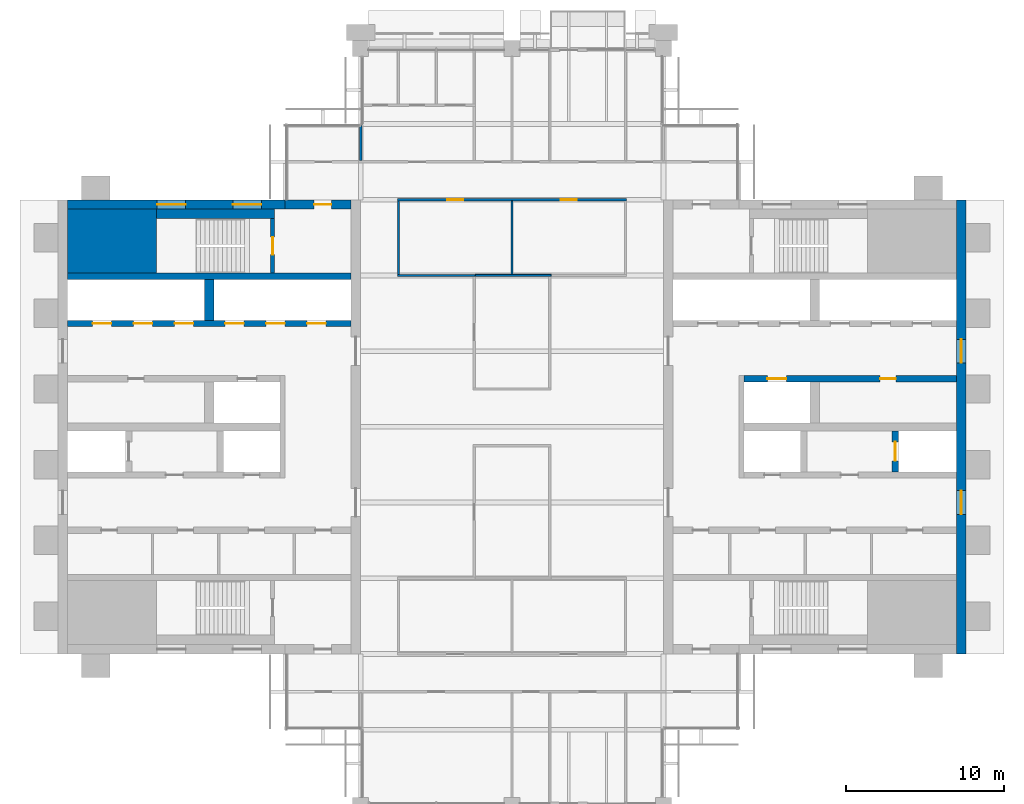
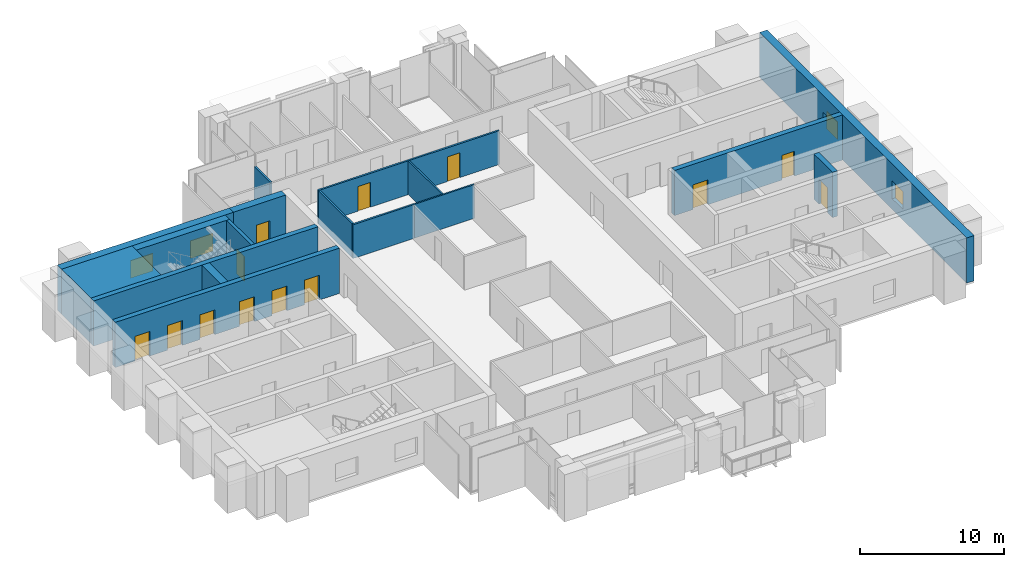
# One storey, part 10 of 13: 17 walls, 13 doors, 4 windows, 17 openings.
"""IFC4 building model written with IfcOpenShell, lengths in metres."""

from ifc_helpers import new_model, si_unit, direction, frame, frame_2d, origin, place, context, subcontext, project, spatial, rectangle, extrude, material, layer, layer_set, type_object, element, fill, save


model = new_model("IFC4")

# Units and contexts
model_context = context("Model", 3, precision=1e-05, world=origin(), true_north=direction((0.0, 1.0)))
body_context = subcontext(model_context, "Body", "Model", "MODEL_VIEW")
ifc_project = project(units=[si_unit("LENGTHUNIT", "METRE"), si_unit("AREAUNIT", "SQUARE_METRE"), si_unit("VOLUMEUNIT", "CUBIC_METRE"), si_unit("PLANEANGLEUNIT", "RADIAN"), si_unit("MASSUNIT", "GRAM", prefix="KILO")], contexts=[model_context])

# Site, building, storey
site_placement = place(None, origin())
site = spatial("IfcSite", under=ifc_project, at=site_placement, CompositionType="ELEMENT")
building_placement = place(site_placement, origin())
building = spatial("IfcBuilding", under=site, at=building_placement, Name="Baori Bourse Tower", CompositionType="ELEMENT")
storey_placement = place(building_placement, frame((0.0, 0.0, 302.300048828125)))
storey = spatial("IfcBuildingStorey", under=building, at=storey_placement, Name="L66", CompositionType="ELEMENT", Elevation=302.300048828125)

# Wall
ifc_material_1 = material(Name="Concrete f'c 40 MPa", Category="concrete")
wall_type_1 = type_object("IfcWallType", Name="Core corner block f'c 40", PredefinedType="SHEAR", material=ifc_material_1)
wall_1_placement = place(storey_placement, frame((0.60009765625, 35.77490234375, 0.0), z_axis=(0.0, 0.0, 1.0), x_axis=(1.0, 0.0, 0.0)))
element("IfcWall", 1, at=wall_1_placement, inside=storey, type_object=wall_type_1, Name="Core wall W23", PredefinedType="SHEAR", context=body_context, shape_type="SweptSolid", body=[
    extrude(rectangle(XDim=5.64990234375, YDim=4.050048828125, at=frame_2d((2.824951171875, 0.0))), origin(), (0.0, 0.0, 1.0), 3.83984375),
])

# Wall, openings, windows
ifc_material_2 = material(Name="Concrete f'c 40 MPa", Category="concrete")
ifc_layer_1 = layer(ifc_material_2, 0.60009765625)
ifc_layer_set_1 = layer_set([ifc_layer_1], Name="Core wall 600 f'c 40")
wall_type_2 = type_object("IfcWallType", Name="Core wall 600 f'c 40", PredefinedType="SHEAR", material=ifc_layer_set_1)
wall_2_placement = place(storey_placement, frame((0.60009765625, 38.10009765625, 0.0), z_axis=(0.0, 0.0, 1.0), x_axis=(1.0, 0.0, 0.0)))
wall_2 = element("IfcWall", 2, at=wall_2_placement, inside=storey, type_object=wall_type_2, Name="Core wall W26", PredefinedType="SHEAR", context=body_context, shape_type="SweptSolid", body=[
    extrude(rectangle(XDim=13.7998046875, YDim=0.60009765625, at=frame_2d((6.89990234375, 0.0))), origin(), (0.0, 0.0, 1.0), 3.83984375),
])
opening_1_placement = place(wall_2_placement, frame((5.699951171875, 0.0, 0.89990234375)))
opening_1 = element("IfcOpeningElement", 3, at=opening_1_placement, cuts=wall_2, Name="Opening L66-KW105", PredefinedType="OPENING", context=body_context, shape_type="SweptSolid", body=[
    extrude(rectangle(XDim=1.800048828125, YDim=1.5, at=frame_2d((0.89990234375, 0.75))), frame((0.0, 0.31005859375, 0.0), z_axis=(0.0, -1.0, 0.0), x_axis=(1.0, 0.0, 0.0)), (0.0, 0.0, 1.0), 0.6201171875),
])
opening_2_placement = place(wall_2_placement, frame((10.5, 0.0, 0.89990234375)))
opening_2 = element("IfcOpeningElement", 4, at=opening_2_placement, cuts=wall_2, Name="Opening L66-KW106", PredefinedType="OPENING", context=body_context, shape_type="SweptSolid", body=[
    extrude(rectangle(XDim=1.800048828125, YDim=1.5, at=frame_2d((0.89990234375, 0.75))), frame((0.0, 0.31005859375, 0.0), z_axis=(0.0, -1.0, 0.0), x_axis=(1.0, 0.0, 0.0)), (0.0, 0.0, 1.0), 0.6201171875),
])
ifc_material_3 = material(Name="Pale anodised aluminium", Category="aluminium")
window_type_1 = type_object("IfcWindowType", Name="Stair window 1800 x 1500", PartitioningType="SINGLE_PANEL", PredefinedType="WINDOW", material=ifc_material_3)
window_1_placement = place(opening_1_placement, origin())
window_1 = element("IfcWindow", 5, at=window_1_placement, inside=storey, type_object=window_type_1, Name="Stair window W L66 5", OverallHeight=1.5, OverallWidth=1.800048828125, PartitioningType="SINGLE_PANEL", PredefinedType="WINDOW", context=body_context, shape_type="SweptSolid", body=[
    extrude(rectangle(XDim=1.800048828125, YDim=1.5, at=frame_2d((0.89990234375, 0.75))), frame((0.0, 0.030029296875, 0.0), z_axis=(0.0, -1.0, 0.0), x_axis=(1.0, 0.0, 0.0)), (0.0, 0.0, 1.0), 0.06005859375),
])
fill(opening_1, window_1)
window_2_placement = place(opening_2_placement, origin())
window_2 = element("IfcWindow", 6, at=window_2_placement, inside=storey, type_object=window_type_1, Name="Stair window W L66 6", OverallHeight=1.5, OverallWidth=1.800048828125, PartitioningType="SINGLE_PANEL", PredefinedType="WINDOW", context=body_context, shape_type="SweptSolid", body=[
    extrude(rectangle(XDim=1.800048828125, YDim=1.5, at=frame_2d((0.89990234375, 0.75))), frame((0.0, 0.030029296875, 0.0), z_axis=(0.0, -1.0, 0.0), x_axis=(1.0, 0.0, 0.0)), (0.0, 0.0, 1.0), 0.06005859375),
])
fill(opening_2, window_2)

# Wall, opening, door
wall_3_placement = place(storey_placement, frame((14.39990234375, 38.10009765625, 0.0), z_axis=(0.0, 0.0, 1.0), x_axis=(1.0, 0.0, 0.0)))
wall_3 = element("IfcWall", 7, at=wall_3_placement, inside=storey, type_object=wall_type_2, Name="Core wall W27", PredefinedType="SHEAR", context=body_context, shape_type="SweptSolid", body=[
    extrude(rectangle(XDim=4.2001953125, YDim=0.60009765625, at=frame_2d((2.10009765625, 0.0))), origin(), (0.0, 0.0, 1.0), 3.83984375),
])
opening_3_placement = place(wall_3_placement, frame((1.85009765625, 0.0, 0.0)))
opening_3 = element("IfcOpeningElement", 8, at=opening_3_placement, cuts=wall_3, Name="Opening L66-D104", PredefinedType="OPENING", context=body_context, shape_type="SweptSolid", body=[
    extrude(rectangle(XDim=1.10009765625, YDim=2.10009765625, at=frame_2d((0.550048828125, 1.050048828125))), frame((0.0, 0.31005859375, 0.0), z_axis=(0.0, -1.0, 0.0), x_axis=(1.0, 0.0, 0.0)), (0.0, 0.0, 1.0), 0.6201171875),
])
ifc_material_4 = material(Name="Painted steel door", Category="steel")
door_type_1 = type_object("IfcDoorType", Name="Stair door 1100", OperationType="SINGLE_SWING_LEFT", PredefinedType="DOOR", material=ifc_material_4)
door_1_placement = place(opening_3_placement, origin())
door_1 = element("IfcDoor", 9, at=door_1_placement, inside=storey, type_object=door_type_1, Name="Stair vestibule door B W L66", OperationType="SINGLE_SWING_LEFT", OverallHeight=2.10009765625, OverallWidth=1.10009765625, PredefinedType="DOOR", context=body_context, shape_type="SweptSolid", body=[
    extrude(rectangle(XDim=1.10009765625, YDim=2.10009765625, at=frame_2d((0.550048828125, 1.050048828125))), frame((0.0, 0.02490234375, 0.0), z_axis=(0.0, -1.0, 0.0), x_axis=(1.0, 0.0, 0.0)), (0.0, 0.0, 1.0), 0.050048828125),
])
fill(opening_3, door_1)

# Wall, openings, windows
wall_4_placement = place(storey_placement, frame((57.300048828125, 38.39990234375, 0.0), z_axis=(0.0, 0.0, 1.0), x_axis=(0.0, -1.0, 0.0)))
wall_4 = element("IfcWall", 10, at=wall_4_placement, inside=storey, type_object=wall_type_2, Name="Core wall E01", PredefinedType="SHEAR", context=body_context, shape_type="SweptSolid", body=[
    extrude(rectangle(XDim=28.7998046875, YDim=0.60009765625, at=frame_2d((14.39990234375, 0.0))), origin(), (0.0, 0.0, 1.0), 3.83984375),
])
opening_4_placement = place(wall_4_placement, frame((18.449951171875, 0.0, 0.89990234375)))
opening_4 = element("IfcOpeningElement", 11, at=opening_4_placement, cuts=wall_4, Name="Opening L66-KW201", PredefinedType="OPENING", context=body_context, shape_type="SweptSolid", body=[
    extrude(rectangle(XDim=1.5, YDim=1.5, at=frame_2d((0.75, 0.75))), frame((0.0, 0.31005859375, 0.0), z_axis=(0.0, -1.0, 0.0), x_axis=(1.0, 0.0, 0.0)), (0.0, 0.0, 1.0), 0.6201171875),
])
opening_5_placement = place(wall_4_placement, frame((8.85009765625, 0.0, 0.89990234375)))
opening_5 = element("IfcOpeningElement", 12, at=opening_5_placement, cuts=wall_4, Name="Opening L66-KW202", PredefinedType="OPENING", context=body_context, shape_type="SweptSolid", body=[
    extrude(rectangle(XDim=1.5, YDim=1.5, at=frame_2d((0.75, 0.75))), frame((0.0, 0.31005859375, 0.0), z_axis=(0.0, -1.0, 0.0), x_axis=(1.0, 0.0, 0.0)), (0.0, 0.0, 1.0), 0.6201171875),
])
ifc_material_5 = material(Name="Pale anodised aluminium", Category="aluminium")
window_type_2 = type_object("IfcWindowType", Name="Lobby window 1500 x 1500", PartitioningType="SINGLE_PANEL", PredefinedType="WINDOW", material=ifc_material_5)
window_3_placement = place(opening_4_placement, origin())
window_3 = element("IfcWindow", 13, at=window_3_placement, inside=storey, type_object=window_type_2, Name="Outer wall window E L66 1", OverallHeight=1.5, OverallWidth=1.5, PartitioningType="SINGLE_PANEL", PredefinedType="WINDOW", context=body_context, shape_type="SweptSolid", body=[
    extrude(rectangle(XDim=1.5, YDim=1.5, at=frame_2d((0.75, 0.75))), frame((0.0, 0.030029296875, 0.0), z_axis=(0.0, -1.0, 0.0), x_axis=(1.0, 0.0, 0.0)), (0.0, 0.0, 1.0), 0.06005859375),
])
fill(opening_4, window_3)
window_4_placement = place(opening_5_placement, origin())
window_4 = element("IfcWindow", 14, at=window_4_placement, inside=storey, type_object=window_type_2, Name="Outer wall window E L66 2", OverallHeight=1.5, OverallWidth=1.5, PartitioningType="SINGLE_PANEL", PredefinedType="WINDOW", context=body_context, shape_type="SweptSolid", body=[
    extrude(rectangle(XDim=1.5, YDim=1.5, at=frame_2d((0.75, 0.75))), frame((0.0, 0.030029296875, 0.0), z_axis=(0.0, -1.0, 0.0), x_axis=(1.0, 0.0, 0.0)), (0.0, 0.0, 1.0), 0.06005859375),
])
fill(opening_5, window_4)

# Wall
ifc_material_6 = material(Name="Gypsum board partition")
ifc_layer_2 = layer(ifc_material_6, 0.14990234375)
ifc_layer_set_2 = layer_set([ifc_layer_2], Name="Corridor partition 150")
wall_type_3 = type_object("IfcWallType", Name="Corridor partition 150", PredefinedType="PARTITIONING", material=ifc_layer_set_2)
wall_5_placement = place(storey_placement, frame((21.52490234375, 33.60009765625, 0.0), z_axis=(0.0, 0.0, 1.0), x_axis=(1.0, 0.0, 0.0)))
element("IfcWall", 15, at=wall_5_placement, inside=storey, type_object=wall_type_3, Name="Partition", PredefinedType="PARTITIONING", context=body_context, shape_type="SweptSolid", body=[
    extrude(rectangle(XDim=4.9501953125, YDim=0.14990234375, at=frame_2d((2.47509765625, 0.0))), origin(), (0.0, 0.0, 1.0), 2.86962890625),
])

# Wall, openings, doors
wall_6_placement = place(storey_placement, frame((21.52490234375, 38.39990234375, 0.0), z_axis=(0.0, 0.0, 1.0), x_axis=(1.0, 0.0, 0.0)))
wall_6 = element("IfcWall", 16, at=wall_6_placement, inside=storey, type_object=wall_type_3, Name="Partition", PredefinedType="PARTITIONING", context=body_context, shape_type="SweptSolid", body=[
    extrude(rectangle(XDim=14.550048828125, YDim=0.14990234375, at=frame_2d((7.27490234375, 0.0))), origin(), (0.0, 0.0, 1.0), 2.86962890625),
])
opening_6_placement = place(wall_6_placement, frame((3.175048828125, 0.0, 0.0)))
opening_6 = element("IfcOpeningElement", 17, at=opening_6_placement, cuts=wall_6, Name="Opening L66-D08", PredefinedType="OPENING", context=body_context, shape_type="SweptSolid", body=[
    extrude(rectangle(XDim=1.0, YDim=2.10009765625, at=frame_2d((0.5, 1.050048828125))), frame((0.0, 0.0849609375, 0.0), z_axis=(0.0, -1.0, 0.0), x_axis=(1.0, 0.0, 0.0)), (0.0, 0.0, 1.0), 0.169921875),
])
opening_7_placement = place(wall_6_placement, frame((10.375, 0.0, 0.0)))
opening_7 = element("IfcOpeningElement", 18, at=opening_7_placement, cuts=wall_6, Name="Opening L66-D09", PredefinedType="OPENING", context=body_context, shape_type="SweptSolid", body=[
    extrude(rectangle(XDim=1.0, YDim=2.10009765625, at=frame_2d((0.5, 1.050048828125))), frame((0.0, 0.0849609375, 0.0), z_axis=(0.0, -1.0, 0.0), x_axis=(1.0, 0.0, 0.0)), (0.0, 0.0, 1.0), 0.169921875),
])
ifc_material_7 = material(Name="Timber door leaf", Category="wood")
door_type_2 = type_object("IfcDoorType", Name="Door 1000 x 2100", OperationType="SINGLE_SWING_LEFT", PredefinedType="DOOR", material=ifc_material_7)
door_2_placement = place(opening_6_placement, origin())
door_2 = element("IfcDoor", 19, at=door_2_placement, inside=storey, type_object=door_type_2, Name="Door", OperationType="SINGLE_SWING_LEFT", OverallHeight=2.10009765625, OverallWidth=1.0, PredefinedType="DOOR", context=body_context, shape_type="SweptSolid", body=[
    extrude(rectangle(XDim=1.0, YDim=2.10009765625, at=frame_2d((0.5, 1.050048828125))), frame((0.0, 0.02490234375, 0.0), z_axis=(0.0, -1.0, 0.0), x_axis=(1.0, 0.0, 0.0)), (0.0, 0.0, 1.0), 0.050048828125),
])
fill(opening_6, door_2)
door_3_placement = place(opening_7_placement, origin())
door_3 = element("IfcDoor", 20, at=door_3_placement, inside=storey, type_object=door_type_2, Name="Door", OperationType="SINGLE_SWING_RIGHT", OverallHeight=2.10009765625, OverallWidth=1.0, PredefinedType="DOOR", context=body_context, shape_type="SweptSolid", body=[
    extrude(rectangle(XDim=1.0, YDim=2.10009765625, at=frame_2d((0.5, 1.050048828125))), frame((0.0, 0.02490234375, 0.0), z_axis=(0.0, -1.0, 0.0), x_axis=(1.0, 0.0, 0.0)), (0.0, 0.0, 1.0), 0.050048828125),
])
fill(opening_7, door_3)

# Walls
wall_7_placement = place(storey_placement, frame((19.199951171875, 40.875, 0.0), z_axis=(0.0, 0.0, 1.0), x_axis=(0.0, 1.0, 0.0)))
element("IfcWall", 21, at=wall_7_placement, inside=storey, type_object=wall_type_3, Name="Partition", PredefinedType="PARTITIONING", context=body_context, shape_type="SweptSolid", body=[
    extrude(rectangle(XDim=2.22509765625, YDim=0.14990234375, at=frame_2d((1.112548828125, 0.0))), origin(), (0.0, 0.0, 1.0), 2.86962890625),
])
wall_8_placement = place(storey_placement, frame((21.60009765625, 33.675048828125, 0.0), z_axis=(0.0, 0.0, 1.0), x_axis=(0.0, 1.0, 0.0)))
element("IfcWall", 22, at=wall_8_placement, inside=storey, type_object=wall_type_3, Name="Partition", PredefinedType="PARTITIONING", context=body_context, shape_type="SweptSolid", body=[
    extrude(rectangle(XDim=4.64990234375, YDim=0.14990234375, at=frame_2d((2.324951171875, 0.0))), origin(), (0.0, 0.0, 1.0), 2.86962890625),
])
ifc_material_8 = material(Name="Gypsum board partition")
ifc_layer_3 = layer(ifc_material_8, 0.125)
ifc_layer_set_3 = layer_set([ifc_layer_3], Name="Partition 125")
wall_type_4 = type_object("IfcWallType", Name="Partition 125", PredefinedType="PARTITIONING", material=ifc_layer_set_3)
wall_9_placement = place(storey_placement, frame((26.47509765625, 33.60009765625, 0.0), z_axis=(0.0, 0.0, 1.0), x_axis=(1.0, 0.0, 0.0)))
element("IfcWall", 23, at=wall_9_placement, inside=storey, type_object=wall_type_4, Name="Partition", PredefinedType="PARTITIONING", context=body_context, shape_type="SweptSolid", body=[
    extrude(rectangle(XDim=4.7998046875, YDim=0.125, at=frame_2d((2.39990234375, 0.0))), origin(), (0.0, 0.0, 1.0), 2.86962890625),
])
wall_10_placement = place(storey_placement, frame((28.800048828125, 33.66259765625, 0.0), z_axis=(0.0, 0.0, 1.0), x_axis=(0.0, 1.0, 0.0)))
element("IfcWall", 24, at=wall_10_placement, inside=storey, type_object=wall_type_4, Name="Partition", PredefinedType="PARTITIONING", context=body_context, shape_type="SweptSolid", body=[
    extrude(rectangle(XDim=4.662353515625, YDim=0.125, at=frame_2d((2.3310546875, 0.0))), origin(), (0.0, 0.0, 1.0), 2.86962890625),
])

# Wall, opening, door
ifc_material_9 = material(Name="Concrete f'c 40 MPa", Category="concrete")
ifc_layer_4 = layer(ifc_material_9, 0.25)
ifc_layer_set_4 = layer_set([ifc_layer_4], Name="Shaft wall 250 f'c 40")
wall_type_5 = type_object("IfcWallType", Name="Shaft wall 250 f'c 40", PredefinedType="SHEAR", material=ifc_layer_set_4)
wall_11_placement = place(storey_placement, frame((13.625, 33.75, 0.0), z_axis=(0.0, 0.0, 1.0), x_axis=(0.0, 1.0, 0.0)))
wall_11 = element("IfcWall", 25, at=wall_11_placement, inside=storey, type_object=wall_type_5, Name="Core wall W24", PredefinedType="SHEAR", context=body_context, shape_type="SweptSolid", body=[
    extrude(rectangle(XDim=3.449951171875, YDim=0.25, at=frame_2d((1.72509765625, 0.0))), origin(), (0.0, 0.0, 1.0), 3.83984375),
])
opening_8_placement = place(wall_11_placement, frame((1.175048828125, 0.0, 0.0)))
opening_8 = element("IfcOpeningElement", 26, at=opening_8_placement, cuts=wall_11, Name="Opening L66-D103", PredefinedType="OPENING", context=body_context, shape_type="SweptSolid", body=[
    extrude(rectangle(XDim=1.10009765625, YDim=2.10009765625, at=frame_2d((0.550048828125, 1.050048828125))), frame((0.0, 0.135009765625, 0.0), z_axis=(0.0, -1.0, 0.0), x_axis=(1.0, 0.0, 0.0)), (0.0, 0.0, 1.0), 0.27001953125),
])
door_4_placement = place(opening_8_placement, origin())
door_4 = element("IfcDoor", 27, at=door_4_placement, inside=storey, type_object=door_type_1, Name="Stair door B W L66", OperationType="SINGLE_SWING_LEFT", OverallHeight=2.10009765625, OverallWidth=1.10009765625, PredefinedType="DOOR", context=body_context, shape_type="SweptSolid", body=[
    extrude(rectangle(XDim=1.10009765625, YDim=2.10009765625, at=frame_2d((0.550048828125, 1.050048828125))), frame((0.0, 0.02490234375, 0.0), z_axis=(0.0, -1.0, 0.0), x_axis=(1.0, 0.0, 0.0)), (0.0, 0.0, 1.0), 0.050048828125),
])
fill(opening_8, door_4)

# Wall, openings, doors
ifc_material_10 = material(Name="Concrete f'c 40 MPa", Category="concrete")
ifc_layer_5 = layer(ifc_material_10, 0.39990234375)
ifc_layer_set_5 = layer_set([ifc_layer_5], Name="Shaft wall 400 f'c 40")
wall_type_6 = type_object("IfcWallType", Name="Shaft wall 400 f'c 40", PredefinedType="SHEAR", material=ifc_layer_set_5)
wall_12_placement = place(storey_placement, frame((0.60009765625, 30.550048828125, 0.0), z_axis=(0.0, 0.0, 1.0), x_axis=(1.0, 0.0, 0.0)))
wall_12 = element("IfcWall", 28, at=wall_12_placement, inside=storey, type_object=wall_type_6, Name="Core wall W20", PredefinedType="SHEAR", context=body_context, shape_type="SweptSolid", body=[
    extrude(rectangle(XDim=18.0, YDim=0.39990234375, at=frame_2d((9.0, 0.0))), origin(), (0.0, 0.0, 1.0), 3.83984375),
])
opening_9_placement = place(wall_12_placement, frame((1.60009765625, 0.0, 0.0)))
opening_9 = element("IfcOpeningElement", 29, at=opening_9_placement, cuts=wall_12, Name="Opening L66-D114", PredefinedType="OPENING", context=body_context, shape_type="SweptSolid", body=[
    extrude(rectangle(XDim=1.199951171875, YDim=2.10009765625, at=frame_2d((0.60009765625, 1.050048828125))), frame((0.0, 0.2099609375, 0.0), z_axis=(0.0, -1.0, 0.0), x_axis=(1.0, 0.0, 0.0)), (0.0, 0.0, 1.0), 0.419921875),
])
opening_10_placement = place(wall_12_placement, frame((4.199951171875, 0.0, 0.0)))
opening_10 = element("IfcOpeningElement", 30, at=opening_10_placement, cuts=wall_12, Name="Opening L66-D115", PredefinedType="OPENING", context=body_context, shape_type="SweptSolid", body=[
    extrude(rectangle(XDim=1.199951171875, YDim=2.10009765625, at=frame_2d((0.60009765625, 1.050048828125))), frame((0.0, 0.2099609375, 0.0), z_axis=(0.0, -1.0, 0.0), x_axis=(1.0, 0.0, 0.0)), (0.0, 0.0, 1.0), 0.419921875),
])
opening_11_placement = place(wall_12_placement, frame((6.800048828125, 0.0, 0.0)))
opening_11 = element("IfcOpeningElement", 31, at=opening_11_placement, cuts=wall_12, Name="Opening L66-D116", PredefinedType="OPENING", context=body_context, shape_type="SweptSolid", body=[
    extrude(rectangle(XDim=1.199951171875, YDim=2.10009765625, at=frame_2d((0.60009765625, 1.050048828125))), frame((0.0, 0.2099609375, 0.0), z_axis=(0.0, -1.0, 0.0), x_axis=(1.0, 0.0, 0.0)), (0.0, 0.0, 1.0), 0.419921875),
])
opening_12_placement = place(wall_12_placement, frame((10.0, 0.0, 0.0)))
opening_12 = element("IfcOpeningElement", 32, at=opening_12_placement, cuts=wall_12, Name="Opening L66-D117", PredefinedType="OPENING", context=body_context, shape_type="SweptSolid", body=[
    extrude(rectangle(XDim=1.199951171875, YDim=2.10009765625, at=frame_2d((0.60009765625, 1.050048828125))), frame((0.0, 0.2099609375, 0.0), z_axis=(0.0, -1.0, 0.0), x_axis=(1.0, 0.0, 0.0)), (0.0, 0.0, 1.0), 0.419921875),
])
opening_13_placement = place(wall_12_placement, frame((12.60009765625, 0.0, 0.0)))
opening_13 = element("IfcOpeningElement", 33, at=opening_13_placement, cuts=wall_12, Name="Opening L66-D118", PredefinedType="OPENING", context=body_context, shape_type="SweptSolid", body=[
    extrude(rectangle(XDim=1.199951171875, YDim=2.10009765625, at=frame_2d((0.60009765625, 1.050048828125))), frame((0.0, 0.2099609375, 0.0), z_axis=(0.0, -1.0, 0.0), x_axis=(1.0, 0.0, 0.0)), (0.0, 0.0, 1.0), 0.419921875),
])
opening_14_placement = place(wall_12_placement, frame((15.199951171875, 0.0, 0.0)))
opening_14 = element("IfcOpeningElement", 34, at=opening_14_placement, cuts=wall_12, Name="Opening L66-D119", PredefinedType="OPENING", context=body_context, shape_type="SweptSolid", body=[
    extrude(rectangle(XDim=1.199951171875, YDim=2.10009765625, at=frame_2d((0.60009765625, 1.050048828125))), frame((0.0, 0.2099609375, 0.0), z_axis=(0.0, -1.0, 0.0), x_axis=(1.0, 0.0, 0.0)), (0.0, 0.0, 1.0), 0.419921875),
])
ifc_material_11 = material(Name="Stainless steel door", Category="steel")
door_type_3 = type_object("IfcDoorType", Name="Lift landing door", OperationType="DOUBLE_DOOR_SLIDING", PredefinedType="DOOR", material=ifc_material_11)
door_5_placement = place(opening_9_placement, origin())
door_5 = element("IfcDoor", 35, at=door_5_placement, inside=storey, type_object=door_type_3, Name="Lift landing door HR1 W L66", OperationType="DOUBLE_DOOR_SLIDING", OverallHeight=2.10009765625, OverallWidth=1.199951171875, PredefinedType="DOOR", context=body_context, shape_type="SweptSolid", body=[
    extrude(rectangle(XDim=1.199951171875, YDim=2.10009765625, at=frame_2d((0.60009765625, 1.050048828125))), frame((0.0, 0.02490234375, 0.0), z_axis=(0.0, -1.0, 0.0), x_axis=(1.0, 0.0, 0.0)), (0.0, 0.0, 1.0), 0.050048828125),
])
fill(opening_9, door_5)
door_6_placement = place(opening_10_placement, origin())
door_6 = element("IfcDoor", 36, at=door_6_placement, inside=storey, type_object=door_type_3, Name="Lift landing door HR2 W L66", OperationType="DOUBLE_DOOR_SLIDING", OverallHeight=2.10009765625, OverallWidth=1.199951171875, PredefinedType="DOOR", context=body_context, shape_type="SweptSolid", body=[
    extrude(rectangle(XDim=1.199951171875, YDim=2.10009765625, at=frame_2d((0.60009765625, 1.050048828125))), frame((0.0, 0.02490234375, 0.0), z_axis=(0.0, -1.0, 0.0), x_axis=(1.0, 0.0, 0.0)), (0.0, 0.0, 1.0), 0.050048828125),
])
fill(opening_10, door_6)
door_7_placement = place(opening_11_placement, origin())
door_7 = element("IfcDoor", 37, at=door_7_placement, inside=storey, type_object=door_type_3, Name="Lift landing door HR3 W L66", OperationType="DOUBLE_DOOR_SLIDING", OverallHeight=2.10009765625, OverallWidth=1.199951171875, PredefinedType="DOOR", context=body_context, shape_type="SweptSolid", body=[
    extrude(rectangle(XDim=1.199951171875, YDim=2.10009765625, at=frame_2d((0.60009765625, 1.050048828125))), frame((0.0, 0.02490234375, 0.0), z_axis=(0.0, -1.0, 0.0), x_axis=(1.0, 0.0, 0.0)), (0.0, 0.0, 1.0), 0.050048828125),
])
fill(opening_11, door_7)
door_8_placement = place(opening_12_placement, origin())
door_8 = element("IfcDoor", 38, at=door_8_placement, inside=storey, type_object=door_type_3, Name="Lift landing door HR4 W L66", OperationType="DOUBLE_DOOR_SLIDING", OverallHeight=2.10009765625, OverallWidth=1.199951171875, PredefinedType="DOOR", context=body_context, shape_type="SweptSolid", body=[
    extrude(rectangle(XDim=1.199951171875, YDim=2.10009765625, at=frame_2d((0.60009765625, 1.050048828125))), frame((0.0, 0.02490234375, 0.0), z_axis=(0.0, -1.0, 0.0), x_axis=(1.0, 0.0, 0.0)), (0.0, 0.0, 1.0), 0.050048828125),
])
fill(opening_12, door_8)
door_9_placement = place(opening_13_placement, origin())
door_9 = element("IfcDoor", 39, at=door_9_placement, inside=storey, type_object=door_type_3, Name="Lift landing door HR5 W L66", OperationType="DOUBLE_DOOR_SLIDING", OverallHeight=2.10009765625, OverallWidth=1.199951171875, PredefinedType="DOOR", context=body_context, shape_type="SweptSolid", body=[
    extrude(rectangle(XDim=1.199951171875, YDim=2.10009765625, at=frame_2d((0.60009765625, 1.050048828125))), frame((0.0, 0.02490234375, 0.0), z_axis=(0.0, -1.0, 0.0), x_axis=(1.0, 0.0, 0.0)), (0.0, 0.0, 1.0), 0.050048828125),
])
fill(opening_13, door_9)
door_10_placement = place(opening_14_placement, origin())
door_10 = element("IfcDoor", 40, at=door_10_placement, inside=storey, type_object=door_type_3, Name="Lift landing door HR6 W L66", OperationType="DOUBLE_DOOR_SLIDING", OverallHeight=2.10009765625, OverallWidth=1.199951171875, PredefinedType="DOOR", context=body_context, shape_type="SweptSolid", body=[
    extrude(rectangle(XDim=1.199951171875, YDim=2.10009765625, at=frame_2d((0.60009765625, 1.050048828125))), frame((0.0, 0.02490234375, 0.0), z_axis=(0.0, -1.0, 0.0), x_axis=(1.0, 0.0, 0.0)), (0.0, 0.0, 1.0), 0.050048828125),
])
fill(opening_14, door_10)

# Wall
wall_13_placement = place(storey_placement, frame((0.60009765625, 33.550048828125, 0.0), z_axis=(0.0, 0.0, 1.0), x_axis=(1.0, 0.0, 0.0)))
element("IfcWall", 41, at=wall_13_placement, inside=storey, type_object=wall_type_6, Name="Core wall W22", PredefinedType="SHEAR", context=body_context, shape_type="SweptSolid", body=[
    extrude(rectangle(XDim=18.0, YDim=0.39990234375, at=frame_2d((9.0, 0.0))), origin(), (0.0, 0.0, 1.0), 3.83984375),
])

# Wall, opening, door
wall_14_placement = place(storey_placement, frame((53.10009765625, 21.14990234375, 0.0), z_axis=(0.0, 0.0, 1.0), x_axis=(0.0, 1.0, 0.0)))
wall_14 = element("IfcWall", 42, at=wall_14_placement, inside=storey, type_object=wall_type_6, Name="Core wall E15", PredefinedType="SHEAR", context=body_context, shape_type="SweptSolid", body=[
    extrude(rectangle(XDim=2.60009765625, YDim=0.39990234375, at=frame_2d((1.300048828125, 0.0))), origin(), (0.0, 0.0, 1.0), 3.83984375),
])
opening_15_placement = place(wall_14_placement, frame((0.699951171875, 0.0, 0.0)))
opening_15 = element("IfcOpeningElement", 43, at=opening_15_placement, cuts=wall_14, Name="Opening L66-D221", PredefinedType="OPENING", context=body_context, shape_type="SweptSolid", body=[
    extrude(rectangle(XDim=1.199951171875, YDim=2.10009765625, at=frame_2d((0.60009765625, 1.050048828125))), frame((0.0, 0.2099609375, 0.0), z_axis=(0.0, -1.0, 0.0), x_axis=(1.0, 0.0, 0.0)), (0.0, 0.0, 1.0), 0.419921875),
])
door_11_placement = place(opening_15_placement, origin())
door_11 = element("IfcDoor", 44, at=door_11_placement, inside=storey, type_object=door_type_3, Name="Lift landing door FF2 E L66", OperationType="DOUBLE_DOOR_SLIDING", OverallHeight=2.10009765625, OverallWidth=1.199951171875, PredefinedType="DOOR", context=body_context, shape_type="SweptSolid", body=[
    extrude(rectangle(XDim=1.199951171875, YDim=2.10009765625, at=frame_2d((0.60009765625, 1.050048828125))), frame((0.0, 0.02490234375, 0.0), z_axis=(0.0, -1.0, 0.0), x_axis=(1.0, 0.0, 0.0)), (0.0, 0.0, 1.0), 0.050048828125),
])
fill(opening_15, door_11)

# Wall, openings, doors
wall_15_placement = place(storey_placement, frame((43.5, 27.050048828125, 0.0), z_axis=(0.0, 0.0, 1.0), x_axis=(1.0, 0.0, 0.0)))
wall_15 = element("IfcWall", 45, at=wall_15_placement, inside=storey, type_object=wall_type_6, Name="Core wall E19", PredefinedType="SHEAR", context=body_context, shape_type="SweptSolid", body=[
    extrude(rectangle(XDim=13.5, YDim=0.39990234375, at=frame_2d((6.75, 0.0))), origin(), (0.0, 0.0, 1.0), 3.83984375),
])
opening_16_placement = place(wall_15_placement, frame((8.64990234375, 0.0, 0.0)))
opening_16 = element("IfcOpeningElement", 46, at=opening_16_placement, cuts=wall_15, Name="Opening L66-D213", PredefinedType="OPENING", context=body_context, shape_type="SweptSolid", body=[
    extrude(rectangle(XDim=1.0, YDim=2.10009765625, at=frame_2d((0.5, 1.050048828125))), frame((0.0, 0.2099609375, 0.0), z_axis=(0.0, -1.0, 0.0), x_axis=(1.0, 0.0, 0.0)), (0.0, 0.0, 1.0), 0.419921875),
])
opening_17_placement = place(wall_15_placement, frame((1.5, 0.0, 0.0)))
opening_17 = element("IfcOpeningElement", 47, at=opening_17_placement, cuts=wall_15, Name="Opening L66-D220", PredefinedType="OPENING", context=body_context, shape_type="SweptSolid", body=[
    extrude(rectangle(XDim=1.199951171875, YDim=2.10009765625, at=frame_2d((0.60009765625, 1.050048828125))), frame((0.0, 0.2099609375, 0.0), z_axis=(0.0, -1.0, 0.0), x_axis=(1.0, 0.0, 0.0)), (0.0, 0.0, 1.0), 0.419921875),
])
ifc_material_12 = material(Name="Painted steel door", Category="steel")
door_type_4 = type_object("IfcDoorType", Name="Core door 1000", OperationType="SINGLE_SWING_LEFT", PredefinedType="DOOR", material=ifc_material_12)
door_12_placement = place(opening_16_placement, origin())
door_12 = element("IfcDoor", 48, at=door_12_placement, inside=storey, type_object=door_type_4, Name="Pantry door E L66", OperationType="SINGLE_SWING_LEFT", OverallHeight=2.10009765625, OverallWidth=1.0, PredefinedType="DOOR", context=body_context, shape_type="SweptSolid", body=[
    extrude(rectangle(XDim=1.0, YDim=2.10009765625, at=frame_2d((0.5, 1.050048828125))), frame((0.0, 0.02490234375, 0.0), z_axis=(0.0, -1.0, 0.0), x_axis=(1.0, 0.0, 0.0)), (0.0, 0.0, 1.0), 0.050048828125),
])
fill(opening_16, door_12)
door_13_placement = place(opening_17_placement, origin())
door_13 = element("IfcDoor", 49, at=door_13_placement, inside=storey, type_object=door_type_3, Name="Lift landing door SV1 E L66", OperationType="DOUBLE_DOOR_SLIDING", OverallHeight=2.10009765625, OverallWidth=1.199951171875, PredefinedType="DOOR", context=body_context, shape_type="SweptSolid", body=[
    extrude(rectangle(XDim=1.199951171875, YDim=2.10009765625, at=frame_2d((0.60009765625, 1.050048828125))), frame((0.0, 0.02490234375, 0.0), z_axis=(0.0, -1.0, 0.0), x_axis=(1.0, 0.0, 0.0)), (0.0, 0.0, 1.0), 0.050048828125),
])
fill(opening_17, door_13)

# Walls
ifc_material_13 = material(Name="Concrete f'c 40 MPa", Category="concrete")
ifc_layer_6 = layer(ifc_material_13, 0.60009765625)
ifc_layer_set_6 = layer_set([ifc_layer_6], Name="Shaft wall 600 f'c 40")
wall_type_7 = type_object("IfcWallType", Name="Shaft wall 600 f'c 40", PredefinedType="SHEAR", material=ifc_layer_set_6)
wall_16_placement = place(storey_placement, frame((9.60009765625, 30.75, 0.0), z_axis=(0.0, 0.0, 1.0), x_axis=(0.0, 1.0, 0.0)))
element("IfcWall", 50, at=wall_16_placement, inside=storey, type_object=wall_type_7, Name="Core wall W21", PredefinedType="SHEAR", context=body_context, shape_type="SweptSolid", body=[
    extrude(rectangle(XDim=2.60009765625, YDim=0.60009765625, at=frame_2d((1.300048828125, 0.0))), origin(), (0.0, 0.0, 1.0), 3.83984375),
])
wall_17_placement = place(storey_placement, frame((6.25, 37.5, 0.0), z_axis=(0.0, 0.0, 1.0), x_axis=(1.0, 0.0, 0.0)))
element("IfcWall", 51, at=wall_17_placement, inside=storey, type_object=wall_type_7, Name="Core wall W25", PredefinedType="SHEAR", context=body_context, shape_type="SweptSolid", body=[
    extrude(rectangle(XDim=7.5, YDim=0.60009765625, at=frame_2d((3.75, 0.0))), origin(), (0.0, 0.0, 1.0), 3.83984375),
])

save(model, "model.ifc")
